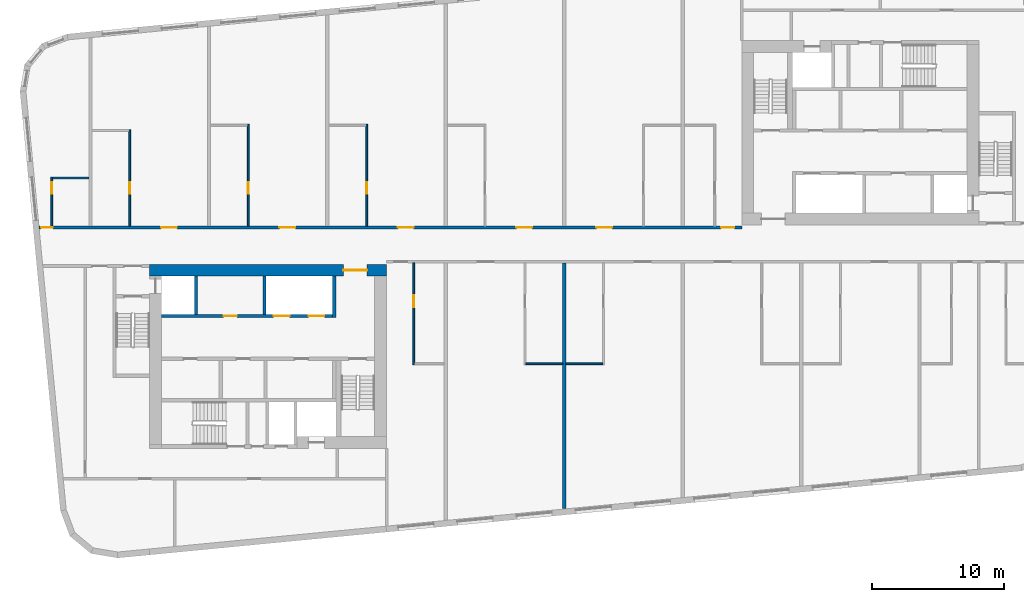
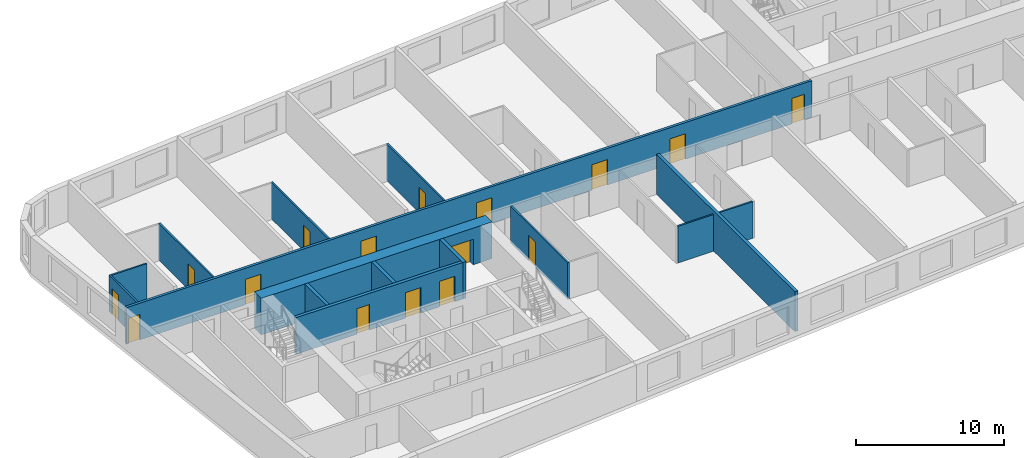
# One storey, part 3 of 11: 16 doors, 15 walls, 16 openings.
"""IFC4 building model written with IfcOpenShell, lengths in metres."""

from ifc_helpers import new_model, si_unit, direction, frame, frame_2d, origin, place, context, subcontext, project, spatial, rectangle, extrude, material, layer, layer_set, type_object, element, fill, save


model = new_model("IFC4")

# Units and contexts
model_context = context("Model", 3, precision=1e-05, world=origin(), true_north=direction((0.0, 1.0)))
body_context = subcontext(model_context, "Body", "Model", "MODEL_VIEW")
ifc_project = project(units=[si_unit("LENGTHUNIT", "METRE"), si_unit("AREAUNIT", "SQUARE_METRE"), si_unit("VOLUMEUNIT", "CUBIC_METRE"), si_unit("PLANEANGLEUNIT", "RADIAN"), si_unit("MASSUNIT", "GRAM", prefix="KILO")], contexts=[model_context])

# Site, building, storey
site_placement = place(None, origin())
site = spatial("IfcSite", under=ifc_project, at=site_placement, CompositionType="ELEMENT")
building_placement = place(site_placement, origin())
building = spatial("IfcBuilding", under=site, at=building_placement, Name="Kajstack Hotel Tower", CompositionType="ELEMENT")
storey_placement = place(building_placement, frame((0.0, 0.0, 271.800048828125)))
storey = spatial("IfcBuildingStorey", under=building, at=storey_placement, Name="L67", CompositionType="ELEMENT", Elevation=271.800048828125)

# Wall, opening, door
ifc_material_1 = material(Name="Concrete C60/75", Category="concrete")
ifc_layer_1 = layer(ifc_material_1, 0.89990234375)
ifc_layer_set_1 = layer_set([ifc_layer_1], Name="Core wall 900")
wall_type_1 = type_object("IfcWallType", Name="Core wall 900", PredefinedType="SHEAR", material=ifc_layer_set_1)
wall_1_placement = place(storey_placement, frame((-31.5, -1.949951171875, 0.0), z_axis=(0.0, 0.0, 1.0), x_axis=(1.0, 0.0, 0.0)))
wall_1 = element("IfcWall", 1, at=wall_1_placement, inside=storey, type_object=wall_type_1, Name="Core wall W RN", PredefinedType="SHEAR", context=body_context, shape_type="SweptSolid", body=[
    extrude(rectangle(XDim=18.0, YDim=0.89990234375, at=frame_2d((9.0, 0.0))), origin(), (0.0, 0.0, 1.0), 3.02001953125),
])
opening_1_placement = place(wall_1_placement, frame((14.72509765625, 0.0, 0.0)))
opening_1 = element("IfcOpeningElement", 2, at=opening_1_placement, cuts=wall_1, Name="Opening 67W05", PredefinedType="OPENING", context=body_context, shape_type="SweptSolid", body=[
    extrude(rectangle(XDim=1.800048828125, YDim=2.10009765625, at=frame_2d((0.89990234375, 1.050048828125))), frame((0.0, 0.4599609375, 0.0), z_axis=(0.0, -1.0, 0.0), x_axis=(1.0, 0.0, 0.0)), (0.0, 0.0, 1.0), 0.919921875),
])
ifc_material_2 = material(Name="Glazed steel frame, fire-rated glass", Category="steel")
door_type_1 = type_object("IfcDoorType", Name="Lobby double door 1800", OperationType="DOUBLE_DOOR_DOUBLE_SWING", PredefinedType="DOOR", material=ifc_material_2)
door_1_placement = place(opening_1_placement, origin())
door_1 = element("IfcDoor", 3, at=door_1_placement, inside=storey, type_object=door_type_1, Name="Door 67W05", OperationType="DOUBLE_DOOR_DOUBLE_SWING", OverallHeight=2.10009765625, OverallWidth=1.800048828125, PredefinedType="DOOR", context=body_context, shape_type="SweptSolid", body=[
    extrude(rectangle(XDim=1.800048828125, YDim=2.10009765625, at=frame_2d((0.89990234375, 1.050048828125))), frame((0.0, 0.02490234375, 0.0), z_axis=(0.0, -1.0, 0.0), x_axis=(1.0, 0.0, 0.0)), (0.0, 0.0, 1.0), 0.050048828125),
])
fill(opening_1, door_1)

# Wall, openings, doors
ifc_material_3 = material(Name="Gypsum board on steel studs, mineral wool", Category="steel")
ifc_layer_2 = layer(ifc_material_3, 0.199951171875)
ifc_layer_set_2 = layer_set([ifc_layer_2], Name="Corridor wall 200")
wall_type_2 = type_object("IfcWallType", Name="Corridor wall 200", PredefinedType="PARTITIONING", material=ifc_layer_set_2)
wall_2_placement = place(storey_placement, frame((-39.908935546875, 1.300048828125, 0.0), z_axis=(0.0, 0.0, 1.0), x_axis=(1.0, 0.0, 0.0)))
wall_2 = element("IfcWall", 4, at=wall_2_placement, inside=storey, type_object=wall_type_2, Name="G-wall-L67-003", PredefinedType="PARTITIONING", context=body_context, shape_type="SweptSolid", body=[
    extrude(rectangle(XDim=53.408935546875, YDim=0.199951171875, at=frame_2d((26.70458984375, 0.0))), origin(), (0.0, 0.0, 1.0), 3.02001953125),
])
opening_2_placement = place(wall_2_placement, frame((0.14990234375, 0.0, 0.0)))
opening_2 = element("IfcOpeningElement", 5, at=opening_2_placement, cuts=wall_2, Name="Opening 67001", PredefinedType="OPENING", context=body_context, shape_type="SweptSolid", body=[
    extrude(rectangle(XDim=0.89990234375, YDim=2.10009765625, at=frame_2d((0.449951171875, 1.050048828125))), frame((0.0, 0.10986328125, 0.0), z_axis=(0.0, -1.0, 0.0), x_axis=(1.0, 0.0, 0.0)), (0.0, 0.0, 1.0), 0.219970703125),
])
opening_3_placement = place(wall_2_placement, frame((9.27099609375, 0.0, 0.0)))
opening_3 = element("IfcOpeningElement", 6, at=opening_3_placement, cuts=wall_2, Name="Opening 67003", PredefinedType="OPENING", context=body_context, shape_type="SweptSolid", body=[
    extrude(rectangle(XDim=1.199951171875, YDim=2.10009765625, at=frame_2d((0.60009765625, 1.050048828125))), frame((0.0, 0.10986328125, 0.0), z_axis=(0.0, -1.0, 0.0), x_axis=(1.0, 0.0, 0.0)), (0.0, 0.0, 1.0), 0.219970703125),
])
opening_4_placement = place(wall_2_placement, frame((18.27099609375, 0.0, 0.0)))
opening_4 = element("IfcOpeningElement", 7, at=opening_4_placement, cuts=wall_2, Name="Opening 67005", PredefinedType="OPENING", context=body_context, shape_type="SweptSolid", body=[
    extrude(rectangle(XDim=1.199951171875, YDim=2.10009765625, at=frame_2d((0.60009765625, 1.050048828125))), frame((0.0, 0.10986328125, 0.0), z_axis=(0.0, -1.0, 0.0), x_axis=(1.0, 0.0, 0.0)), (0.0, 0.0, 1.0), 0.219970703125),
])
opening_5_placement = place(wall_2_placement, frame((27.27099609375, 0.0, 0.0)))
opening_5 = element("IfcOpeningElement", 8, at=opening_5_placement, cuts=wall_2, Name="Opening 67007", PredefinedType="OPENING", context=body_context, shape_type="SweptSolid", body=[
    extrude(rectangle(XDim=1.199951171875, YDim=2.10009765625, at=frame_2d((0.60009765625, 1.050048828125))), frame((0.0, 0.10986328125, 0.0), z_axis=(0.0, -1.0, 0.0), x_axis=(1.0, 0.0, 0.0)), (0.0, 0.0, 1.0), 0.219970703125),
])
opening_6_placement = place(wall_2_placement, frame((36.27099609375, 0.0, 0.0)))
opening_6 = element("IfcOpeningElement", 9, at=opening_6_placement, cuts=wall_2, Name="Opening 67009", PredefinedType="OPENING", context=body_context, shape_type="SweptSolid", body=[
    extrude(rectangle(XDim=1.199951171875, YDim=2.10009765625, at=frame_2d((0.60009765625, 1.050048828125))), frame((0.0, 0.10986328125, 0.0), z_axis=(0.0, -1.0, 0.0), x_axis=(1.0, 0.0, 0.0)), (0.0, 0.0, 1.0), 0.219970703125),
])
opening_7_placement = place(wall_2_placement, frame((42.345947265625, 0.0, 0.0)))
opening_7 = element("IfcOpeningElement", 10, at=opening_7_placement, cuts=wall_2, Name="Opening 67011", PredefinedType="OPENING", context=body_context, shape_type="SweptSolid", body=[
    extrude(rectangle(XDim=1.199951171875, YDim=2.10009765625, at=frame_2d((0.60009765625, 1.050048828125))), frame((0.0, 0.10986328125, 0.0), z_axis=(0.0, -1.0, 0.0), x_axis=(1.0, 0.0, 0.0)), (0.0, 0.0, 1.0), 0.219970703125),
])
opening_8_placement = place(wall_2_placement, frame((51.833984375, 0.0, 0.0)))
opening_8 = element("IfcOpeningElement", 11, at=opening_8_placement, cuts=wall_2, Name="Opening 67013", PredefinedType="OPENING", context=body_context, shape_type="SweptSolid", body=[
    extrude(rectangle(XDim=1.0, YDim=2.10009765625, at=frame_2d((0.5, 1.050048828125))), frame((0.0, 0.10986328125, 0.0), z_axis=(0.0, -1.0, 0.0), x_axis=(1.0, 0.0, 0.0)), (0.0, 0.0, 1.0), 0.219970703125),
])
ifc_material_4 = material(Name="Oak veneer on timber core, fire-rated leaf", Category="wood")
door_type_2 = type_object("IfcDoorType", Name="Flat entrance door 1000", OperationType="SINGLE_SWING_LEFT", PredefinedType="DOOR", material=ifc_material_4)
door_2_placement = place(opening_8_placement, origin())
door_2 = element("IfcDoor", 12, at=door_2_placement, inside=storey, type_object=door_type_2, Name="G-door-L67-13", OperationType="SINGLE_SWING_LEFT", OverallHeight=2.10009765625, OverallWidth=1.0, PredefinedType="DOOR", context=body_context, shape_type="SweptSolid", body=[
    extrude(rectangle(XDim=1.0, YDim=2.10009765625, at=frame_2d((0.5, 1.050048828125))), frame((0.0, 0.02490234375, 0.0), z_axis=(0.0, -1.0, 0.0), x_axis=(1.0, 0.0, 0.0)), (0.0, 0.0, 1.0), 0.050048828125),
])
fill(opening_8, door_2)
door_type_3 = type_object("IfcDoorType", Name="Flat entrance door 1200", OperationType="SINGLE_SWING_LEFT", PredefinedType="DOOR", material=ifc_material_4)
door_3_placement = place(opening_3_placement, origin())
door_3 = element("IfcDoor", 13, at=door_3_placement, inside=storey, type_object=door_type_3, Name="G-door-L67-03", OperationType="SINGLE_SWING_RIGHT", OverallHeight=2.10009765625, OverallWidth=1.199951171875, PredefinedType="DOOR", context=body_context, shape_type="SweptSolid", body=[
    extrude(rectangle(XDim=1.199951171875, YDim=2.10009765625, at=frame_2d((0.60009765625, 1.050048828125))), frame((0.0, 0.02490234375, 0.0), z_axis=(0.0, -1.0, 0.0), x_axis=(1.0, 0.0, 0.0)), (0.0, 0.0, 1.0), 0.050048828125),
])
fill(opening_3, door_3)
door_4_placement = place(opening_4_placement, origin())
door_4 = element("IfcDoor", 14, at=door_4_placement, inside=storey, type_object=door_type_3, Name="G-door-L67-05", OperationType="SINGLE_SWING_LEFT", OverallHeight=2.10009765625, OverallWidth=1.199951171875, PredefinedType="DOOR", context=body_context, shape_type="SweptSolid", body=[
    extrude(rectangle(XDim=1.199951171875, YDim=2.10009765625, at=frame_2d((0.60009765625, 1.050048828125))), frame((0.0, 0.02490234375, 0.0), z_axis=(0.0, -1.0, 0.0), x_axis=(1.0, 0.0, 0.0)), (0.0, 0.0, 1.0), 0.050048828125),
])
fill(opening_4, door_4)
door_5_placement = place(opening_5_placement, origin())
door_5 = element("IfcDoor", 15, at=door_5_placement, inside=storey, type_object=door_type_3, Name="G-door-L67-07", OperationType="SINGLE_SWING_RIGHT", OverallHeight=2.10009765625, OverallWidth=1.199951171875, PredefinedType="DOOR", context=body_context, shape_type="SweptSolid", body=[
    extrude(rectangle(XDim=1.199951171875, YDim=2.10009765625, at=frame_2d((0.60009765625, 1.050048828125))), frame((0.0, 0.02490234375, 0.0), z_axis=(0.0, -1.0, 0.0), x_axis=(1.0, 0.0, 0.0)), (0.0, 0.0, 1.0), 0.050048828125),
])
fill(opening_5, door_5)
door_6_placement = place(opening_6_placement, origin())
door_6 = element("IfcDoor", 16, at=door_6_placement, inside=storey, type_object=door_type_3, Name="G-door-L67-09", OperationType="SINGLE_SWING_RIGHT", OverallHeight=2.10009765625, OverallWidth=1.199951171875, PredefinedType="DOOR", context=body_context, shape_type="SweptSolid", body=[
    extrude(rectangle(XDim=1.199951171875, YDim=2.10009765625, at=frame_2d((0.60009765625, 1.050048828125))), frame((0.0, 0.02490234375, 0.0), z_axis=(0.0, -1.0, 0.0), x_axis=(1.0, 0.0, 0.0)), (0.0, 0.0, 1.0), 0.050048828125),
])
fill(opening_6, door_6)
door_7_placement = place(opening_7_placement, origin())
door_7 = element("IfcDoor", 17, at=door_7_placement, inside=storey, type_object=door_type_3, Name="G-door-L67-11", OperationType="SINGLE_SWING_LEFT", OverallHeight=2.10009765625, OverallWidth=1.199951171875, PredefinedType="DOOR", context=body_context, shape_type="SweptSolid", body=[
    extrude(rectangle(XDim=1.199951171875, YDim=2.10009765625, at=frame_2d((0.60009765625, 1.050048828125))), frame((0.0, 0.02490234375, 0.0), z_axis=(0.0, -1.0, 0.0), x_axis=(1.0, 0.0, 0.0)), (0.0, 0.0, 1.0), 0.050048828125),
])
fill(opening_7, door_7)
ifc_material_5 = material(Name="Painted timber door leaf", Category="wood")
door_type_4 = type_object("IfcDoorType", Name="Room door 900", OperationType="SINGLE_SWING_LEFT", PredefinedType="DOOR", material=ifc_material_5)
door_8_placement = place(opening_2_placement, origin())
door_8 = element("IfcDoor", 18, at=door_8_placement, inside=storey, type_object=door_type_4, Name="G-door-L67-01", OperationType="SINGLE_SWING_RIGHT", OverallHeight=2.10009765625, OverallWidth=0.89990234375, PredefinedType="DOOR", context=body_context, shape_type="SweptSolid", body=[
    extrude(rectangle(XDim=0.89990234375, YDim=2.10009765625, at=frame_2d((0.449951171875, 1.050048828125))), frame((0.0, 0.02490234375, 0.0), z_axis=(0.0, -1.0, 0.0), x_axis=(1.0, 0.0, 0.0)), (0.0, 0.0, 1.0), 0.050048828125),
])
fill(opening_2, door_8)

# Wall, opening, door
ifc_material_6 = material(Name="Gypsum board and tiled backer on steel studs", Category="steel")
ifc_layer_3 = layer(ifc_material_6, 0.125)
ifc_layer_set_3 = layer_set([ifc_layer_3], Name="En-suite wall 125")
wall_type_3 = type_object("IfcWallType", Name="En-suite wall 125", PredefinedType="PARTITIONING", material=ifc_layer_set_3)
wall_3_placement = place(storey_placement, frame((-38.93994140625, 1.39990234375, 0.0), z_axis=(0.0, 0.0, 1.0), x_axis=(0.0, 1.0, 0.0)))
wall_3 = element("IfcWall", 19, at=wall_3_placement, inside=storey, type_object=wall_type_3, Name="G-wall-L67-004", PredefinedType="PARTITIONING", context=body_context, shape_type="SweptSolid", body=[
    extrude(rectangle(XDim=3.72509765625, YDim=0.125, at=frame_2d((1.862548828125, 0.0))), origin(), (0.0, 0.0, 1.0), 3.02001953125),
])
opening_9_placement = place(wall_3_placement, frame((2.449951171875, 0.0, 0.0)))
opening_9 = element("IfcOpeningElement", 20, at=opening_9_placement, cuts=wall_3, Name="Opening 67002", PredefinedType="OPENING", context=body_context, shape_type="SweptSolid", body=[
    extrude(rectangle(XDim=0.89990234375, YDim=2.10009765625, at=frame_2d((0.449951171875, 1.050048828125))), frame((0.0, 0.072509765625, 0.0), z_axis=(0.0, -1.0, 0.0), x_axis=(1.0, 0.0, 0.0)), (0.0, 0.0, 1.0), 0.14501953125),
])
door_9_placement = place(opening_9_placement, origin())
door_9 = element("IfcDoor", 21, at=door_9_placement, inside=storey, type_object=door_type_4, Name="G-door-L67-02", OperationType="SINGLE_SWING_RIGHT", OverallHeight=2.10009765625, OverallWidth=0.89990234375, PredefinedType="DOOR", context=body_context, shape_type="SweptSolid", body=[
    extrude(rectangle(XDim=0.89990234375, YDim=2.10009765625, at=frame_2d((0.449951171875, 1.050048828125))), frame((0.0, 0.02490234375, 0.0), z_axis=(0.0, -1.0, 0.0), x_axis=(1.0, 0.0, 0.0)), (0.0, 0.0, 1.0), 0.050048828125),
])
fill(opening_9, door_9)

# Wall
wall_4_placement = place(storey_placement, frame((-38.8779296875, 5.06201171875, 0.0), z_axis=(0.0, 0.0, 1.0), x_axis=(1.0, 0.0, 0.0)))
element("IfcWall", 22, at=wall_4_placement, inside=storey, type_object=wall_type_3, Name="G-wall-L67-005", PredefinedType="PARTITIONING", context=body_context, shape_type="SweptSolid", body=[
    extrude(rectangle(XDim=2.7529296875, YDim=0.125, at=frame_2d((1.37646484375, 0.0))), origin(), (0.0, 0.0, 1.0), 3.02001953125),
])

# Wall, opening, door
wall_5_placement = place(storey_placement, frame((-33.012939453125, 1.39990234375, 0.0), z_axis=(0.0, 0.0, 1.0), x_axis=(0.0, 1.0, 0.0)))
wall_5 = element("IfcWall", 23, at=wall_5_placement, inside=storey, type_object=wall_type_3, Name="G-wall-L67-006", PredefinedType="PARTITIONING", context=body_context, shape_type="SweptSolid", body=[
    extrude(rectangle(XDim=7.330078125, YDim=0.125, at=frame_2d((3.6650390625, 0.0))), origin(), (0.0, 0.0, 1.0), 3.02001953125),
])
opening_10_placement = place(wall_5_placement, frame((2.449951171875, 0.0, 0.0)))
opening_10 = element("IfcOpeningElement", 24, at=opening_10_placement, cuts=wall_5, Name="Opening 67004", PredefinedType="OPENING", context=body_context, shape_type="SweptSolid", body=[
    extrude(rectangle(XDim=0.89990234375, YDim=2.10009765625, at=frame_2d((0.449951171875, 1.050048828125))), frame((0.0, 0.072509765625, 0.0), z_axis=(0.0, -1.0, 0.0), x_axis=(1.0, 0.0, 0.0)), (0.0, 0.0, 1.0), 0.14501953125),
])
door_10_placement = place(opening_10_placement, origin())
door_10 = element("IfcDoor", 25, at=door_10_placement, inside=storey, type_object=door_type_4, Name="G-door-L67-04", OperationType="SINGLE_SWING_LEFT", OverallHeight=2.10009765625, OverallWidth=0.89990234375, PredefinedType="DOOR", context=body_context, shape_type="SweptSolid", body=[
    extrude(rectangle(XDim=0.89990234375, YDim=2.10009765625, at=frame_2d((0.449951171875, 1.050048828125))), frame((0.0, 0.02490234375, 0.0), z_axis=(0.0, -1.0, 0.0), x_axis=(1.0, 0.0, 0.0)), (0.0, 0.0, 1.0), 0.050048828125),
])
fill(opening_10, door_10)

wall_6_placement = place(storey_placement, frame((-24.011962890625, 1.39990234375, 0.0), z_axis=(0.0, 0.0, 1.0), x_axis=(0.0, 1.0, 0.0)))
wall_6 = element("IfcWall", 26, at=wall_6_placement, inside=storey, type_object=wall_type_3, Name="G-wall-L67-008", PredefinedType="PARTITIONING", context=body_context, shape_type="SweptSolid", body=[
    extrude(rectangle(XDim=7.72509765625, YDim=0.125, at=frame_2d((3.862548828125, 0.0))), origin(), (0.0, 0.0, 1.0), 3.02001953125),
])
opening_11_placement = place(wall_6_placement, frame((2.449951171875, 0.0, 0.0)))
opening_11 = element("IfcOpeningElement", 27, at=opening_11_placement, cuts=wall_6, Name="Opening 67006", PredefinedType="OPENING", context=body_context, shape_type="SweptSolid", body=[
    extrude(rectangle(XDim=0.89990234375, YDim=2.10009765625, at=frame_2d((0.449951171875, 1.050048828125))), frame((0.0, 0.072509765625, 0.0), z_axis=(0.0, -1.0, 0.0), x_axis=(1.0, 0.0, 0.0)), (0.0, 0.0, 1.0), 0.14501953125),
])
door_11_placement = place(opening_11_placement, origin())
door_11 = element("IfcDoor", 28, at=door_11_placement, inside=storey, type_object=door_type_4, Name="G-door-L67-06", OperationType="SINGLE_SWING_LEFT", OverallHeight=2.10009765625, OverallWidth=0.89990234375, PredefinedType="DOOR", context=body_context, shape_type="SweptSolid", body=[
    extrude(rectangle(XDim=0.89990234375, YDim=2.10009765625, at=frame_2d((0.449951171875, 1.050048828125))), frame((0.0, 0.02490234375, 0.0), z_axis=(0.0, -1.0, 0.0), x_axis=(1.0, 0.0, 0.0)), (0.0, 0.0, 1.0), 0.050048828125),
])
fill(opening_11, door_11)

wall_7_placement = place(storey_placement, frame((-15.011962890625, 1.39990234375, 0.0), z_axis=(0.0, 0.0, 1.0), x_axis=(0.0, 1.0, 0.0)))
wall_7 = element("IfcWall", 29, at=wall_7_placement, inside=storey, type_object=wall_type_3, Name="G-wall-L67-010", PredefinedType="PARTITIONING", context=body_context, shape_type="SweptSolid", body=[
    extrude(rectangle(XDim=7.72509765625, YDim=0.125, at=frame_2d((3.862548828125, 0.0))), origin(), (0.0, 0.0, 1.0), 3.02001953125),
])
opening_12_placement = place(wall_7_placement, frame((2.449951171875, 0.0, 0.0)))
opening_12 = element("IfcOpeningElement", 30, at=opening_12_placement, cuts=wall_7, Name="Opening 67008", PredefinedType="OPENING", context=body_context, shape_type="SweptSolid", body=[
    extrude(rectangle(XDim=0.89990234375, YDim=2.10009765625, at=frame_2d((0.449951171875, 1.050048828125))), frame((0.0, 0.072509765625, 0.0), z_axis=(0.0, -1.0, 0.0), x_axis=(1.0, 0.0, 0.0)), (0.0, 0.0, 1.0), 0.14501953125),
])
door_12_placement = place(opening_12_placement, origin())
door_12 = element("IfcDoor", 31, at=door_12_placement, inside=storey, type_object=door_type_4, Name="G-door-L67-08", OperationType="SINGLE_SWING_RIGHT", OverallHeight=2.10009765625, OverallWidth=0.89990234375, PredefinedType="DOOR", context=body_context, shape_type="SweptSolid", body=[
    extrude(rectangle(XDim=0.89990234375, YDim=2.10009765625, at=frame_2d((0.449951171875, 1.050048828125))), frame((0.0, 0.02490234375, 0.0), z_axis=(0.0, -1.0, 0.0), x_axis=(1.0, 0.0, 0.0)), (0.0, 0.0, 1.0), 0.050048828125),
])
fill(opening_12, door_12)

wall_8_placement = place(storey_placement, frame((-11.43798828125, -9.125, 0.0), z_axis=(0.0, 0.0, 1.0), x_axis=(0.0, 1.0, 0.0)))
wall_8 = element("IfcWall", 32, at=wall_8_placement, inside=storey, type_object=wall_type_3, Name="G-wall-L67-019", PredefinedType="PARTITIONING", context=body_context, shape_type="SweptSolid", body=[
    extrude(rectangle(XDim=7.72509765625, YDim=0.125, at=frame_2d((3.862548828125, 0.0))), origin(), (0.0, 0.0, 1.0), 3.02001953125),
])
opening_13_placement = place(wall_8_placement, frame((4.375, 0.0, 0.0)))
opening_13 = element("IfcOpeningElement", 33, at=opening_13_placement, cuts=wall_8, Name="Opening 67016", PredefinedType="OPENING", context=body_context, shape_type="SweptSolid", body=[
    extrude(rectangle(XDim=0.89990234375, YDim=2.10009765625, at=frame_2d((0.449951171875, 1.050048828125))), frame((0.0, 0.072509765625, 0.0), z_axis=(0.0, -1.0, 0.0), x_axis=(1.0, 0.0, 0.0)), (0.0, 0.0, 1.0), 0.14501953125),
])
door_13_placement = place(opening_13_placement, origin())
door_13 = element("IfcDoor", 34, at=door_13_placement, inside=storey, type_object=door_type_4, Name="G-door-L67-16", OperationType="SINGLE_SWING_RIGHT", OverallHeight=2.10009765625, OverallWidth=0.89990234375, PredefinedType="DOOR", context=body_context, shape_type="SweptSolid", body=[
    extrude(rectangle(XDim=0.89990234375, YDim=2.10009765625, at=frame_2d((0.449951171875, 1.050048828125))), frame((0.0, 0.02490234375, 0.0), z_axis=(0.0, -1.0, 0.0), x_axis=(1.0, 0.0, 0.0)), (0.0, 0.0, 1.0), 0.050048828125),
])
fill(opening_13, door_13)

# Walls
for number, where, z_axis, x_axis, name in (
    (35, (-2.925048828125, -9.06201171875, 0.0), (0.0, 0.0, 1.0), (1.0, 0.0, 0.0), "G-wall-L67-022"),
    (36, (0.125, -9.06201171875, 0.0), (0.0, 0.0, 1.0), (1.0, 0.0, 0.0), "G-wall-L67-024"),
):
    element("IfcWall", number, at=place(storey_placement, frame(where, z_axis=z_axis, x_axis=x_axis)), inside=storey, type_object=wall_type_3, Name=name, PredefinedType="PARTITIONING", context=body_context, shape_type="SweptSolid", body=[
        extrude(rectangle(XDim=2.800048828125, YDim=0.125, at=frame_2d((1.39990234375, 0.0))), origin(), (0.0, 0.0, 1.0), 3.02001953125),
    ])
ifc_material_7 = material(Name="Concrete C50/60", Category="concrete")
ifc_layer_4 = layer(ifc_material_7, 0.300048828125)
ifc_layer_set_4 = layer_set([ifc_layer_4], Name="Hoistway divider wall 300")
wall_type_4 = type_object("IfcWallType", Name="Hoistway divider wall 300", PredefinedType="SHEAR", material=ifc_layer_set_4)
wall_9_placement = place(storey_placement, frame((-22.77490234375, -5.300048828125, 0.0), z_axis=(0.0, 0.0, 1.0), x_axis=(0.0, 1.0, 0.0)))
element("IfcWall", 37, at=wall_9_placement, inside=storey, type_object=wall_type_4, Name="Core wall W AP2", PredefinedType="SHEAR", context=body_context, shape_type="SweptSolid", body=[
    extrude(rectangle(XDim=2.900146484375, YDim=0.25, at=frame_2d((1.4501953125, 0.0))), origin(), (0.0, 0.0, 1.0), 3.02001953125),
])
ifc_material_8 = material(Name="Concrete C40/50", Category="concrete")
ifc_layer_5 = layer(ifc_material_8, 0.25)
ifc_layer_set_5 = layer_set([ifc_layer_5], Name="RC cross wall 250 C40/50")
wall_type_5 = type_object("IfcWallType", Name="RC cross wall 250 C40/50", PredefinedType="SHEAR", material=ifc_layer_set_5)
wall_10_placement = place(storey_placement, frame((0.0, -20.073974609375, 0.0), z_axis=(0.0, 0.0, 1.0), x_axis=(0.0, 1.0, 0.0)))
element("IfcWall", 38, at=wall_10_placement, inside=storey, type_object=wall_type_5, Name="S-wall-L67-06", PredefinedType="SHEAR", context=body_context, shape_type="SweptSolid", body=[
    extrude(rectangle(XDim=18.674072265625, YDim=0.25, at=frame_2d((9.3369140625, 0.0))), origin(), (0.0, 0.0, 1.0), 3.300048828125),
])

# Wall, openings, doors
ifc_layer_6 = layer(ifc_material_7, 0.25)
ifc_layer_set_6 = layer_set([ifc_layer_6], Name="Shaft wall 250")
wall_type_6 = type_object("IfcWallType", Name="Shaft wall 250", PredefinedType="SHEAR", material=ifc_layer_set_6)
wall_11_placement = place(storey_placement, frame((-30.60009765625, -5.425048828125, 0.0), z_axis=(0.0, 0.0, 1.0), x_axis=(1.0, 0.0, 0.0)))
wall_11 = element("IfcWall", 39, at=wall_11_placement, inside=storey, type_object=wall_type_6, Name="Core wall W FA", PredefinedType="SHEAR", context=body_context, shape_type="SweptSolid", body=[
    extrude(rectangle(XDim=13.0, YDim=0.25, at=frame_2d((6.5, 0.0))), origin(), (0.0, 0.0, 1.0), 3.02001953125),
])
opening_14_placement = place(wall_11_placement, frame((8.52490234375, 0.0, 0.0)))
opening_14 = element("IfcOpeningElement", 40, at=opening_14_placement, cuts=wall_11, Name="Opening LD-HR1", PredefinedType="OPENING", context=body_context, shape_type="SweptSolid", body=[
    extrude(rectangle(XDim=1.199951171875, YDim=2.10009765625, at=frame_2d((0.60009765625, 1.050048828125))), frame((0.0, 0.135009765625, 0.0), z_axis=(0.0, -1.0, 0.0), x_axis=(1.0, 0.0, 0.0)), (0.0, 0.0, 1.0), 0.27001953125),
])
opening_15_placement = place(wall_11_placement, frame((11.175048828125, 0.0, 0.0)))
opening_15 = element("IfcOpeningElement", 41, at=opening_15_placement, cuts=wall_11, Name="Opening LD-HR2", PredefinedType="OPENING", context=body_context, shape_type="SweptSolid", body=[
    extrude(rectangle(XDim=1.199951171875, YDim=2.10009765625, at=frame_2d((0.60009765625, 1.050048828125))), frame((0.0, 0.135009765625, 0.0), z_axis=(0.0, -1.0, 0.0), x_axis=(1.0, 0.0, 0.0)), (0.0, 0.0, 1.0), 0.27001953125),
])
opening_16_placement = place(wall_11_placement, frame((4.72509765625, 0.0, 0.0)))
opening_16 = element("IfcOpeningElement", 42, at=opening_16_placement, cuts=wall_11, Name="Opening 67W16", PredefinedType="OPENING", context=body_context, shape_type="SweptSolid", body=[
    extrude(rectangle(XDim=1.0, YDim=2.10009765625, at=frame_2d((0.5, 1.050048828125))), frame((0.0, 0.135009765625, 0.0), z_axis=(0.0, -1.0, 0.0), x_axis=(1.0, 0.0, 0.0)), (0.0, 0.0, 1.0), 0.27001953125),
])
ifc_material_9 = material(Name="Stainless steel", Category="steel")
door_type_5 = type_object("IfcDoorType", Name="Lift landing door 1200", OperationType="SLIDING_TO_LEFT", PredefinedType="DOOR", material=ifc_material_9)
door_14_placement = place(opening_14_placement, origin())
door_14 = element("IfcDoor", 43, at=door_14_placement, inside=storey, type_object=door_type_5, Name="Landing door HR1", OperationType="SLIDING_TO_LEFT", OverallHeight=2.10009765625, OverallWidth=1.199951171875, PredefinedType="DOOR", context=body_context, shape_type="SweptSolid", body=[
    extrude(rectangle(XDim=1.199951171875, YDim=2.10009765625, at=frame_2d((0.60009765625, 1.050048828125))), frame((0.0, 0.02490234375, 0.0), z_axis=(0.0, -1.0, 0.0), x_axis=(1.0, 0.0, 0.0)), (0.0, 0.0, 1.0), 0.050048828125),
])
fill(opening_14, door_14)
door_15_placement = place(opening_15_placement, origin())
door_15 = element("IfcDoor", 44, at=door_15_placement, inside=storey, type_object=door_type_5, Name="Landing door HR2", OperationType="SLIDING_TO_RIGHT", OverallHeight=2.10009765625, OverallWidth=1.199951171875, PredefinedType="DOOR", context=body_context, shape_type="SweptSolid", body=[
    extrude(rectangle(XDim=1.199951171875, YDim=2.10009765625, at=frame_2d((0.60009765625, 1.050048828125))), frame((0.0, 0.02490234375, 0.0), z_axis=(0.0, -1.0, 0.0), x_axis=(1.0, 0.0, 0.0)), (0.0, 0.0, 1.0), 0.050048828125),
])
fill(opening_15, door_15)
ifc_material_10 = material(Name="Timber leaf, fire-rated", Category="wood")
door_type_6 = type_object("IfcDoorType", Name="Service room door 1000", OperationType="SINGLE_SWING_LEFT", PredefinedType="DOOR", material=ifc_material_10)
door_16_placement = place(opening_16_placement, origin())
door_16 = element("IfcDoor", 45, at=door_16_placement, inside=storey, type_object=door_type_6, Name="Door 67W16", OperationType="SINGLE_SWING_RIGHT", OverallHeight=2.10009765625, OverallWidth=1.0, PredefinedType="DOOR", context=body_context, shape_type="SweptSolid", body=[
    extrude(rectangle(XDim=1.0, YDim=2.10009765625, at=frame_2d((0.5, 1.050048828125))), frame((0.0, 0.02490234375, 0.0), z_axis=(0.0, -1.0, 0.0), x_axis=(1.0, 0.0, 0.0)), (0.0, 0.0, 1.0), 0.050048828125),
])
fill(opening_16, door_16)

# Walls
wall_12_placement = place(storey_placement, frame((-17.47509765625, -5.550048828125, 0.0), z_axis=(0.0, 0.0, 1.0), x_axis=(0.0, 1.0, 0.0)))
element("IfcWall", 46, at=wall_12_placement, inside=storey, type_object=wall_type_6, Name="Core wall W AE", PredefinedType="SHEAR", context=body_context, shape_type="SweptSolid", body=[
    extrude(rectangle(XDim=3.150146484375, YDim=0.25, at=frame_2d((1.5751953125, 0.0))), origin(), (0.0, 0.0, 1.0), 3.02001953125),
])
wall_13_placement = place(storey_placement, frame((-27.97509765625, -5.300048828125, 0.0), z_axis=(0.0, 0.0, 1.0), x_axis=(0.0, 1.0, 0.0)))
element("IfcWall", 47, at=wall_13_placement, inside=storey, type_object=wall_type_6, Name="Core wall W AP0", PredefinedType="SHEAR", context=body_context, shape_type="SweptSolid", body=[
    extrude(rectangle(XDim=2.900146484375, YDim=0.25, at=frame_2d((1.4501953125, 0.0))), origin(), (0.0, 0.0, 1.0), 3.02001953125),
])

save(model, "model.ifc")
